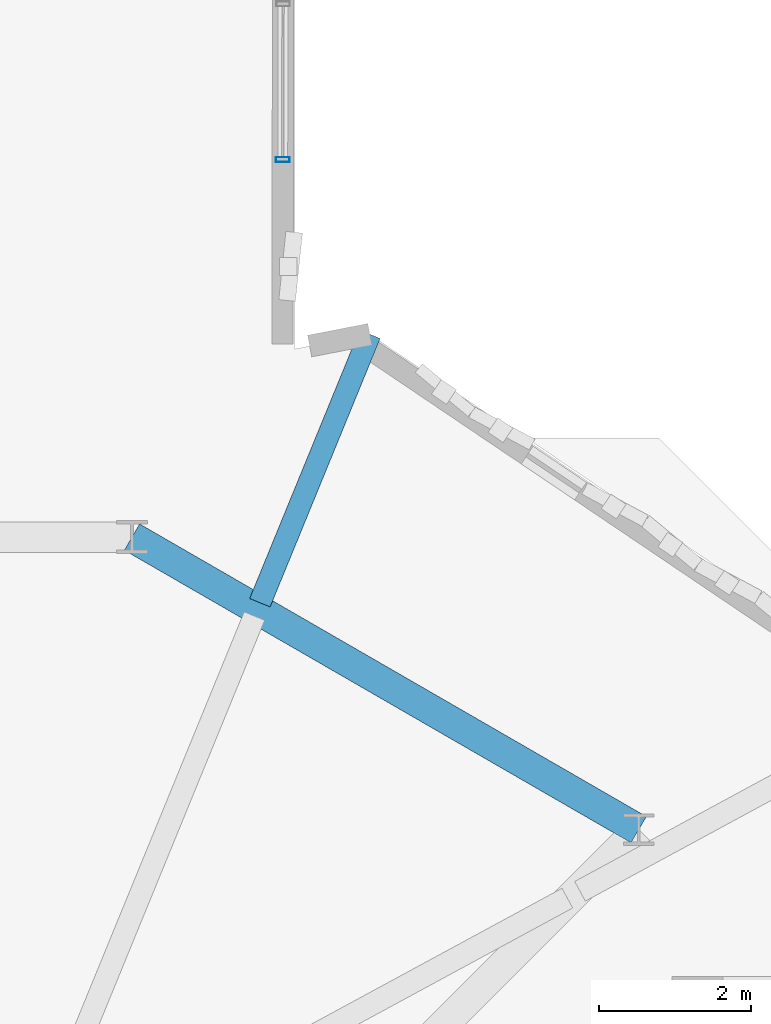
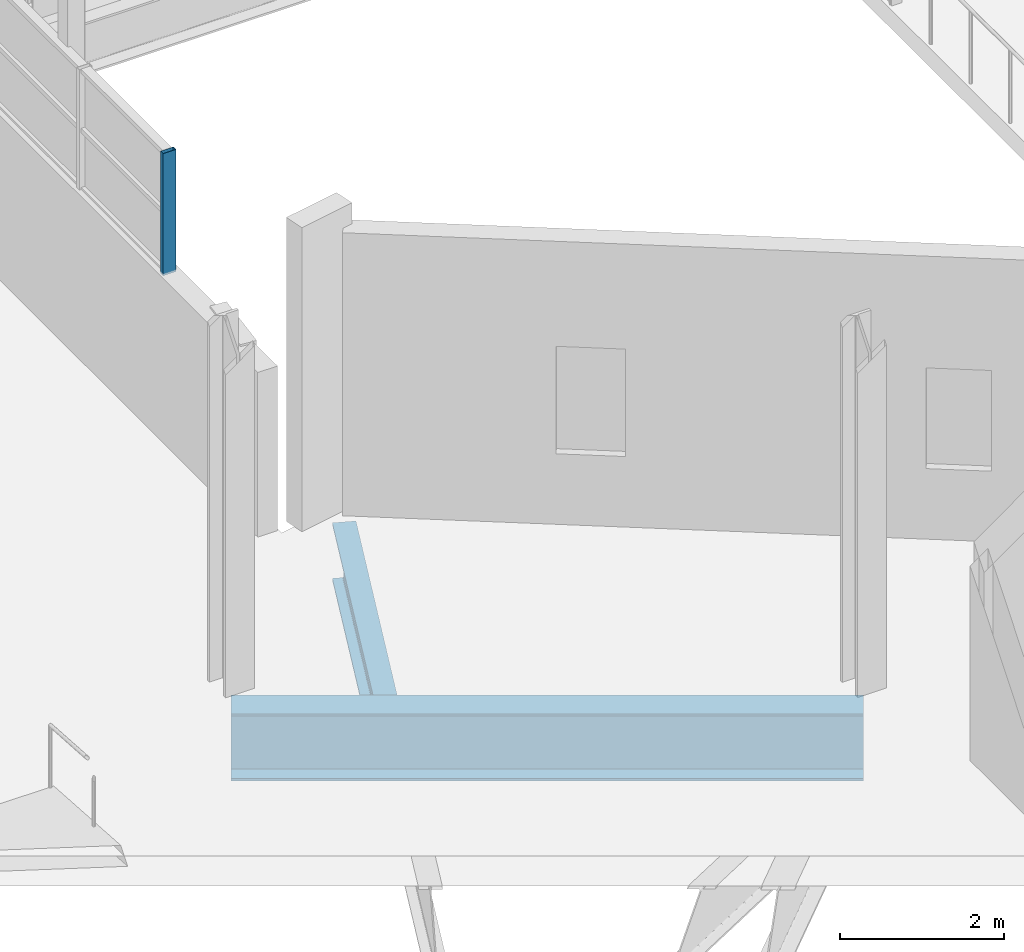
# One storey, part 45 of 142: 2 beams, 1 member, 1 element without a shape of its own.
"""IFC4 building model written with IfcOpenShell, lengths in metres."""

from ifc_helpers import new_model, si_unit, direction, frame, origin, origin_2d, place, context, subcontext, project, spatial, hollow_rectangle, i_section, extrude, material, layer, layer_set, material_profile, profile_set, type_object, element, aggregate, save


model = new_model("IFC4")

# Units and contexts
model_context = context("Model", 3, precision=1e-05, world=origin(), true_north=direction((0.0, 1.0)))
body_context = subcontext(model_context, "Body", "Model", "MODEL_VIEW")
ifc_project = project(units=[si_unit("LENGTHUNIT", "METRE"), si_unit("AREAUNIT", "SQUARE_METRE"), si_unit("VOLUMEUNIT", "CUBIC_METRE"), si_unit("PLANEANGLEUNIT", "RADIAN"), si_unit("MASSUNIT", "GRAM", prefix="KILO"), si_unit("THERMODYNAMICTEMPERATUREUNIT", "KELVIN"), si_unit("POWERUNIT", "WATT")], contexts=[model_context])

# Site, building, storey
site_placement = place(None, origin())
site = spatial("IfcSite", under=ifc_project, at=site_placement, CompositionType="ELEMENT")
building_placement = place(site_placement, origin())
building = spatial("IfcBuilding", under=site, at=building_placement, Name="Zelmaris Science Centre", CompositionType="ELEMENT")
storey_placement = place(building_placement, frame((0.0, 0.0, 5.39990234375)))
storey = spatial("IfcBuildingStorey", under=building, at=storey_placement, Name="L01", CompositionType="ELEMENT", Elevation=5.39990234375)

# Curtain wall, member
ifc_material_1 = material(Name="Anodised architectural aluminium 6063-T6", Category="aluminium")
ifc_layer = layer(ifc_material_1, 0.2099609375, Name="Anodised architectural aluminium 6063-T6")
ifc_layer_set = layer_set([ifc_layer], Name="Anodised architectural aluminium 6063-T6")
curtain_wall_type = type_object("IfcCurtainWallType", Name="Curtain Wall CW-03", PredefinedType="USERDEFINED", material=ifc_layer_set)
curtain_wall_placement = place(storey_placement, origin())
curtain_wall = element("IfcCurtainWall", 1, at=curtain_wall_placement, inside=storey, type_object=curtain_wall_type, Name="L01 Clerestory curtain wall 191", ObjectType="GLAZED CURTAIN WALL", PredefinedType="USERDEFINED")
ifc_material_profile_1 = material_profile(ifc_material_1, hollow_rectangle(XDim=0.06494140625, YDim=0.179931640625, WallThickness=0.00390625, at=origin_2d()), Name="ALU-MUL-65X180")
ifc_profile_set_1 = profile_set([ifc_material_profile_1], Name="Anodised architectural aluminium 6063-T6")
member_type = type_object("IfcMemberType", Name="ALU-MUL-65X180", PredefinedType="MULLION", material=ifc_profile_set_1)
member_placement = place(storey_placement, frame((86.843994140625, 55.368408203125, 2.420166015625), z_axis=(0.0, 0.0, 1.0), x_axis=(-0.0015655597, -0.999998774511, 0.0)))
member = element("IfcMember", 2, at=member_placement, type_object=member_type, Name="CW-03 mullion 4", PredefinedType="MULLION", context=body_context, shape_type="SweptSolid", body=[
    extrude(hollow_rectangle(XDim=0.06494140625, YDim=0.179931640625, WallThickness=0.00390625, at=origin_2d()), origin(), (0.0, 0.0, 1.0), 1.81787109375),
])
aggregate(curtain_wall, [member])

# Beams
ifc_material_2 = material(Name="Steel ASTM A992 Grade 50", Category="steel")
ifc_material_profile_2 = material_profile(ifc_material_2, i_section(OverallWidth=0.40087890625, OverallDepth=1.0009765625, WebThickness=0.01904296875, FlangeThickness=0.0361328125, FilletRadius=0.02490234375, at=origin_2d()), Name="W40X249")
ifc_profile_set_2 = profile_set([ifc_material_profile_2], Name="Steel ASTM A992 Grade 50")
beam_type_1 = type_object("IfcBeamType", Name="Beam G-22 W40X249", PredefinedType="BEAM", material=ifc_profile_set_2)
beam_1_placement = place(storey_placement, frame((91.535888671875, 46.535888671875, -0.80029296875), z_axis=(-0.866021648359, 0.500006504531, 0.0), x_axis=(-0.500006504531, -0.866021648359, 0.0)))
element("IfcBeam", 3, at=beam_1_placement, inside=storey, type_object=beam_type_1, Name="L01 Exhibition inner ring girder 2", PredefinedType="BEAM", context=body_context, shape_type="SweptSolid", body=[
    extrude(i_section(OverallWidth=0.40087890625, OverallDepth=1.0009765625, WebThickness=0.01904296875, FlangeThickness=0.0361328125, FilletRadius=0.02490234375, at=origin_2d()), origin(), (0.0, 0.0, 1.0), 7.712890625),
])
ifc_material_profile_3 = material_profile(ifc_material_2, i_section(OverallWidth=0.2919921875, OverallDepth=0.85888671875, WebThickness=0.01708984375, FlangeThickness=0.031005859375, FilletRadius=0.02001953125, at=origin_2d()), Name="W33X169")
ifc_profile_set_3 = profile_set([ifc_material_profile_3], Name="Steel ASTM A992 Grade 50")
beam_type_2 = type_object("IfcBeamType", Name="Beam G-29 W33X169", PredefinedType="BEAM", material=ifc_profile_set_3)
beam_2_placement = place(storey_placement, frame((86.542236328125, 49.527587890625, -0.7294921875), z_axis=(0.379117653147, 0.925348477641, 0.0), x_axis=(-0.925348477641, 0.379117653147, 0.0)))
element("IfcBeam", 4, at=beam_2_placement, inside=storey, type_object=beam_type_2, Name="L01 Radial overhang girder 7", PredefinedType="BEAM", context=body_context, shape_type="SweptSolid", body=[
    extrude(i_section(OverallWidth=0.2919921875, OverallDepth=0.85888671875, WebThickness=0.01708984375, FlangeThickness=0.031005859375, FilletRadius=0.02001953125, at=origin_2d()), origin(), (0.0, 0.0, 1.0), 3.8232421875),
])

save(model, "model.ifc")
